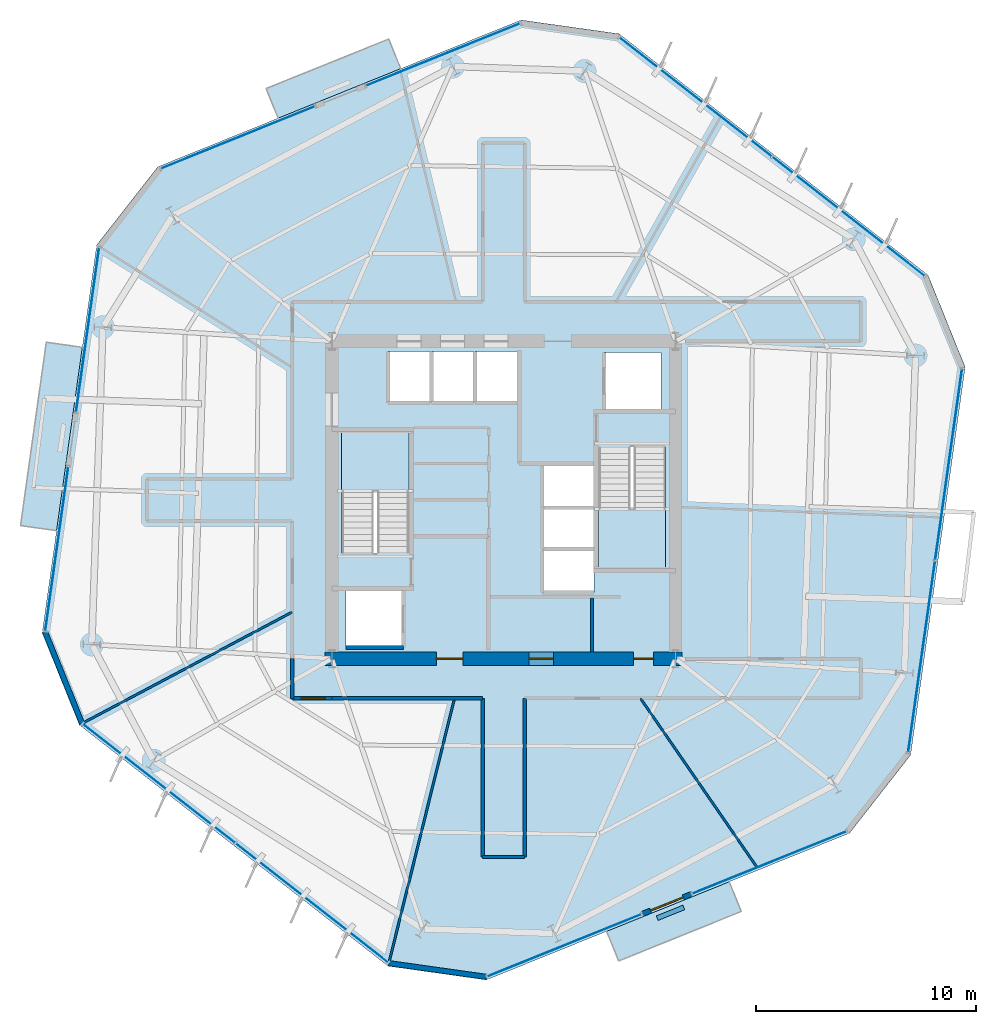
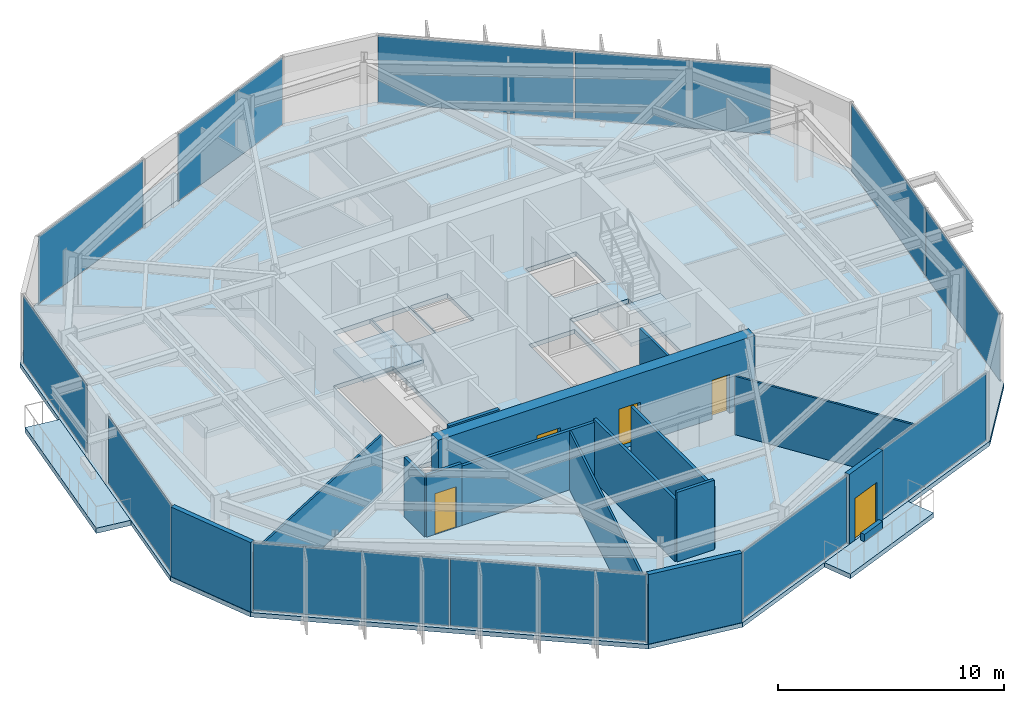
# One storey, part 6 of 12: 16 walls, 12 plates, 6 slabs, 5 doors, 5 openings, 11 elements without a shape of their own.
"""IFC4 building model written with IfcOpenShell, lengths in metres."""

from ifc_helpers import new_model, si_unit, direction, frame, frame_2d, origin, origin_2d, place, context, subcontext, project, spatial, polyline, rectangle, outline, extrude, material, layer, layer_set, type_object, element, fill, aggregate, save


model = new_model("IFC4")

# Units and contexts
model_context = context("Model", 3, precision=1e-05, world=origin(), true_north=direction((0.0, 1.0)))
body_context = subcontext(model_context, "Body", "Model", "MODEL_VIEW")
ifc_project = project(units=[si_unit("LENGTHUNIT", "METRE"), si_unit("AREAUNIT", "SQUARE_METRE"), si_unit("VOLUMEUNIT", "CUBIC_METRE"), si_unit("PLANEANGLEUNIT", "RADIAN"), si_unit("MASSUNIT", "GRAM", prefix="KILO")], contexts=[model_context])

# Site, building, storey
site_placement = place(None, origin())
site = spatial("IfcSite", under=ifc_project, at=site_placement, CompositionType="ELEMENT")
building_placement = place(site_placement, origin())
building = spatial("IfcBuilding", under=site, at=building_placement, Name="Kranzbogen Civic Tower", CompositionType="ELEMENT")
storey_placement = place(building_placement, frame((0.0, 0.0, 110.39990234375)))
storey = spatial("IfcBuildingStorey", under=building, at=storey_placement, Name="L26", CompositionType="ELEMENT", Elevation=110.39990234375)

# Slab
ifc_material_1 = material(Name="Concrete C40/50", Category="concrete")
ifc_layer_1 = layer(ifc_material_1, 0.239990234375, Name="Concrete C40/50")
ifc_layer_set_1 = layer_set([ifc_layer_1], Name="Concrete C40/50")
slab_type_1 = type_object("IfcSlabType", Name="Composite Lower Tower Floor Slab 240 mm", PredefinedType="FLOOR", material=ifc_layer_set_1)
slab_1_placement = place(storey_placement, frame((0.0, 0.0, -0.239990234375)))
element("IfcSlab", 1, at=slab_1_placement, inside=storey, type_object=slab_type_1, Name="L26 tower floor slab", PredefinedType="FLOOR", context=body_context, shape_type="SweptSolid", body=[
    extrude(outline(polyline([(44.258056640625, 35.20703125), (30.2451171875, 46.155029296875), (25.7890625, 46.781982421875), (9.302001953125, 40.1201171875), (6.531005859375, 36.573974609375), (4.055908203125, 18.965087890625), (5.741943359375, 14.79296875), (19.7548828125, 3.844970703125), (24.2109375, 3.218017578125), (40.697998046875, 9.8798828125), (43.468994140625, 13.426025390625), (45.944091796875, 31.034912109375), (44.258056640625, 35.20703125)]), holes=[polyline([(20.449951171875, 20.89990234375), (20.449951171875, 18.300048828125), (17.85009765625, 18.300048828125), (17.85009765625, 20.89990234375), (20.449951171875, 20.89990234375)]), polyline([(29.10009765625, 22.699951171875), (29.10009765625, 20.800048828125), (26.75, 20.800048828125), (26.75, 22.699951171875), (29.10009765625, 22.699951171875)]), polyline([(29.10009765625, 24.64990234375), (29.10009765625, 22.77490234375), (26.75, 22.77490234375), (26.75, 24.64990234375), (26.75, 24.675048828125), (26.75, 26.550048828125), (29.10009765625, 26.550048828125), (29.10009765625, 24.675048828125), (29.10009765625, 24.64990234375)]), polyline([(30.75, 27.340087890625), (30.75, 27.39990234375), (32.35009765625, 27.39990234375), (32.35009765625, 21.89990234375), (29.300048828125, 21.89990234375), (29.300048828125, 27.340087890625), (30.75, 27.340087890625)]), polyline([(19.25, 22.659912109375), (19.25, 22.60009765625), (17.64990234375, 22.60009765625), (17.64990234375, 28.10009765625), (20.699951171875, 28.10009765625), (20.699951171875, 22.659912109375), (19.25, 22.659912109375)]), polyline([(32.14990234375, 31.699951171875), (32.14990234375, 29.10009765625), (29.550048828125, 29.10009765625), (29.550048828125, 31.699951171875), (32.14990234375, 31.699951171875)]), polyline([(21.64990234375, 31.75), (21.64990234375, 29.39990234375), (19.75, 29.39990234375), (19.75, 31.75), (21.64990234375, 31.75)]), polyline([(23.625, 29.39990234375), (21.72509765625, 29.39990234375), (21.72509765625, 31.75), (23.625, 31.75), (23.625, 29.39990234375)]), polyline([(25.60009765625, 29.39990234375), (23.699951171875, 29.39990234375), (23.699951171875, 31.75), (25.60009765625, 31.75), (25.60009765625, 29.39990234375)])]), origin(), (0.0, 0.0, 1.0), 0.239990234375),
])

# Curtain wall, plates
ifc_material_2 = material(Name="Pale Anodised Aluminium", Category="aluminium")
ifc_layer_2 = layer(ifc_material_2, 0.219970703125, Name="Pale Anodised Aluminium")
ifc_layer_set_2 = layer_set([ifc_layer_2], Name="Pale Anodised Aluminium")
curtain_wall_type = type_object("IfcCurtainWallType", Name="Zone 2 Stick Curtain Wall System CW-03", PredefinedType="USERDEFINED", material=ifc_layer_set_2)
curtain_wall_1_placement = place(storey_placement, origin())
curtain_wall_1 = element("IfcCurtainWall", 2, at=curtain_wall_1_placement, inside=storey, type_object=curtain_wall_type, Name="L26 curtain wall CW-L26-F1", ObjectType="STICK CURTAIN WALL", PredefinedType="USERDEFINED")
ifc_material_3 = material(Name="Low-E Triple Glazing Glass", Category="glass")
ifc_layer_3 = layer(ifc_material_3, 0.031982421875, Name="Low-E Triple Glazing Glass")
ifc_layer_set_3 = layer_set([ifc_layer_3], Name="Low-E Triple Glazing Glass")
plate_type = type_object("IfcPlateType", Name="Insulated Low-E Glazing Panel 32 mm", PredefinedType="CURTAIN_PANEL", material=ifc_layer_set_3)
plate_1_placement = place(storey_placement, frame((40.641357421875, 37.86962890625, 0.06005859375), z_axis=(0.0, 0.0, 1.0), x_axis=(-0.788006354184, 0.615667106288, 0.0)))
plate_1 = element("IfcPlate", 3, at=plate_1_placement, type_object=plate_type, Name="CW-03 panel 1.1", PredefinedType="CURTAIN_PANEL", context=body_context, shape_type="SweptSolid", body=[
    extrude(rectangle(XDim=8.744384765625, YDim=0.028076171875, at=origin_2d()), origin(), (0.0, 0.0, 1.0), 3.639892578125),
])
plate_2_placement = place(storey_placement, frame((33.70361328125, 43.290283203125, 0.06005859375), z_axis=(0.0, 0.0, 1.0), x_axis=(-0.788006354184, 0.615667106288, 0.0)))
plate_2 = element("IfcPlate", 4, at=plate_2_placement, type_object=plate_type, Name="CW-03 panel 2.1", PredefinedType="CURTAIN_PANEL", context=body_context, shape_type="SweptSolid", body=[
    extrude(rectangle(XDim=8.744384765625, YDim=0.028076171875, at=origin_2d()), origin(), (0.0, 0.0, 1.0), 3.639892578125),
])
aggregate(curtain_wall_1, [plate_1, plate_2])

# Curtain wall, plate
curtain_wall_2_placement = place(storey_placement, origin())
curtain_wall_2 = element("IfcCurtainWall", 5, at=curtain_wall_2_placement, inside=storey, type_object=curtain_wall_type, Name="L26 curtain wall CW-L26-F2-S1", ObjectType="STICK CURTAIN WALL", PredefinedType="USERDEFINED")
plate_3_placement = place(storey_placement, frame((22.2451171875, 45.2119140625, 0.06005859375), z_axis=(0.0, 0.0, 1.0), x_axis=(-0.927170096622, -0.374640643723, 0.0)))
plate_3 = element("IfcPlate", 6, at=plate_3_placement, type_object=plate_type, Name="CW-03 panel 1.1", PredefinedType="CURTAIN_PANEL", context=body_context, shape_type="SweptSolid", body=[
    extrude(rectangle(XDim=7.513916015625, YDim=0.028076171875, at=origin_2d()), origin(), (0.0, 0.0, 1.0), 3.639892578125),
])
aggregate(curtain_wall_2, [plate_3])

curtain_wall_3_placement = place(storey_placement, origin())
curtain_wall_3 = element("IfcCurtainWall", 7, at=curtain_wall_3_placement, inside=storey, type_object=curtain_wall_type, Name="L26 curtain wall CW-L26-F2-S2", ObjectType="STICK CURTAIN WALL", PredefinedType="USERDEFINED")
plate_4_placement = place(storey_placement, frame((12.94189453125, 41.452880859375, 0.06005859375), z_axis=(0.0, 0.0, 1.0), x_axis=(-0.927170096622, -0.374640643723, 0.0)))
plate_4 = element("IfcPlate", 8, at=plate_4_placement, type_object=plate_type, Name="CW-03 panel 1.1", PredefinedType="CURTAIN_PANEL", context=body_context, shape_type="SweptSolid", body=[
    extrude(rectangle(XDim=7.513916015625, YDim=0.028076171875, at=origin_2d()), origin(), (0.0, 0.0, 1.0), 3.639892578125),
])
aggregate(curtain_wall_3, [plate_4])

curtain_wall_4_placement = place(storey_placement, origin())
curtain_wall_4 = element("IfcCurtainWall", 9, at=curtain_wall_4_placement, inside=storey, type_object=curtain_wall_type, Name="L26 curtain wall CW-L26-F3-S1", ObjectType="STICK CURTAIN WALL", PredefinedType="USERDEFINED")
plate_5_placement = place(storey_placement, frame((6.118896484375, 32.719970703125, 0.06005859375), z_axis=(0.0, 0.0, 1.0), x_axis=(-0.139110324934, -0.990276889308, 0.0)))
plate_5 = element("IfcPlate", 10, at=plate_5_placement, type_object=plate_type, Name="CW-03 panel 1.1", PredefinedType="CURTAIN_PANEL", context=body_context, shape_type="SweptSolid", body=[
    extrude(rectangle(XDim=7.51416015625, YDim=0.028076171875, at=origin_2d()), origin(), (0.0, 0.0, 1.0), 3.639892578125),
])
aggregate(curtain_wall_4, [plate_5])

curtain_wall_5_placement = place(storey_placement, origin())
curtain_wall_5 = element("IfcCurtainWall", 11, at=curtain_wall_5_placement, inside=storey, type_object=curtain_wall_type, Name="L26 curtain wall CW-L26-F3-S2", ObjectType="STICK CURTAIN WALL", PredefinedType="USERDEFINED")
plate_6_placement = place(storey_placement, frame((4.721923828125, 22.783935546875, 0.06005859375), z_axis=(0.0, 0.0, 1.0), x_axis=(-0.139110324934, -0.990276889308, 0.0)))
plate_6 = element("IfcPlate", 12, at=plate_6_placement, type_object=plate_type, Name="CW-03 panel 1.1", PredefinedType="CURTAIN_PANEL", context=body_context, shape_type="SweptSolid", body=[
    extrude(rectangle(XDim=7.51416015625, YDim=0.028076171875, at=origin_2d()), origin(), (0.0, 0.0, 1.0), 3.639892578125),
])
aggregate(curtain_wall_5, [plate_6])

# Curtain wall, plates
curtain_wall_6_placement = place(storey_placement, origin())
curtain_wall_6 = element("IfcCurtainWall", 13, at=curtain_wall_6_placement, inside=storey, type_object=curtain_wall_type, Name="L26 curtain wall CW-L26-F4", ObjectType="STICK CURTAIN WALL", PredefinedType="USERDEFINED")
plate_7_placement = place(storey_placement, frame((9.358642578125, 12.13037109375, 0.06005859375), z_axis=(0.0, 0.0, 1.0), x_axis=(0.788006354184, -0.615667106288, 0.0)))
plate_7 = element("IfcPlate", 14, at=plate_7_placement, type_object=plate_type, Name="CW-03 panel 1.1", PredefinedType="CURTAIN_PANEL", context=body_context, shape_type="SweptSolid", body=[
    extrude(rectangle(XDim=8.744384765625, YDim=0.028076171875, at=origin_2d()), origin(), (0.0, 0.0, 1.0), 3.639892578125),
])
plate_8_placement = place(storey_placement, frame((16.29638671875, 6.709716796875, 0.06005859375), z_axis=(0.0, 0.0, 1.0), x_axis=(0.788006354184, -0.615667106288, 0.0)))
plate_8 = element("IfcPlate", 15, at=plate_8_placement, type_object=plate_type, Name="CW-03 panel 2.1", PredefinedType="CURTAIN_PANEL", context=body_context, shape_type="SweptSolid", body=[
    extrude(rectangle(XDim=8.744384765625, YDim=0.028076171875, at=origin_2d()), origin(), (0.0, 0.0, 1.0), 3.639892578125),
])
aggregate(curtain_wall_6, [plate_7, plate_8])

# Curtain wall, plate
curtain_wall_7_placement = place(storey_placement, origin())
curtain_wall_7 = element("IfcCurtainWall", 16, at=curtain_wall_7_placement, inside=storey, type_object=curtain_wall_type, Name="L26 curtain wall CW-L26-F5-S1", ObjectType="STICK CURTAIN WALL", PredefinedType="USERDEFINED")
plate_9_placement = place(storey_placement, frame((27.7548828125, 4.7880859375, 0.06005859375), z_axis=(0.0, 0.0, 1.0), x_axis=(0.927170096622, 0.374640643723, 0.0)))
plate_9 = element("IfcPlate", 17, at=plate_9_placement, type_object=plate_type, Name="CW-03 panel 1.1", PredefinedType="CURTAIN_PANEL", context=body_context, shape_type="SweptSolid", body=[
    extrude(rectangle(XDim=7.513916015625, YDim=0.028076171875, at=origin_2d()), origin(), (0.0, 0.0, 1.0), 3.639892578125),
])
aggregate(curtain_wall_7, [plate_9])

curtain_wall_8_placement = place(storey_placement, origin())
curtain_wall_8 = element("IfcCurtainWall", 18, at=curtain_wall_8_placement, inside=storey, type_object=curtain_wall_type, Name="L26 curtain wall CW-L26-F5-S2", ObjectType="STICK CURTAIN WALL", PredefinedType="USERDEFINED")
plate_10_placement = place(storey_placement, frame((37.05810546875, 8.547119140625, 0.06005859375), z_axis=(0.0, 0.0, 1.0), x_axis=(0.927170096622, 0.374640643723, 0.0)))
plate_10 = element("IfcPlate", 19, at=plate_10_placement, type_object=plate_type, Name="CW-03 panel 1.1", PredefinedType="CURTAIN_PANEL", context=body_context, shape_type="SweptSolid", body=[
    extrude(rectangle(XDim=7.513916015625, YDim=0.028076171875, at=origin_2d()), origin(), (0.0, 0.0, 1.0), 3.639892578125),
])
aggregate(curtain_wall_8, [plate_10])

# Curtain wall, plates
curtain_wall_9_placement = place(storey_placement, origin())
curtain_wall_9 = element("IfcCurtainWall", 20, at=curtain_wall_9_placement, inside=storey, type_object=curtain_wall_type, Name="L26 curtain wall CW-L26-F6", ObjectType="STICK CURTAIN WALL", PredefinedType="USERDEFINED")
plate_11_placement = place(storey_placement, frame((43.966796875, 17.888916015625, 0.06005859375), z_axis=(0.0, 0.0, 1.0), x_axis=(0.139178515652, 0.990267307741, 0.0)))
plate_11 = element("IfcPlate", 21, at=plate_11_placement, type_object=plate_type, Name="CW-03 panel 1.1", PredefinedType="CURTAIN_PANEL", context=body_context, shape_type="SweptSolid", body=[
    extrude(rectangle(XDim=8.743896484375, YDim=0.028076171875, at=origin_2d()), origin(), (0.0, 0.0, 1.0), 3.639892578125),
])
plate_12_placement = place(storey_placement, frame((45.192138671875, 26.607177734375, 0.06005859375), z_axis=(0.0, 0.0, 1.0), x_axis=(0.139178515652, 0.990267307741, 0.0)))
plate_12 = element("IfcPlate", 22, at=plate_12_placement, type_object=plate_type, Name="CW-03 panel 2.1", PredefinedType="CURTAIN_PANEL", context=body_context, shape_type="SweptSolid", body=[
    extrude(rectangle(XDim=8.743896484375, YDim=0.028076171875, at=origin_2d()), origin(), (0.0, 0.0, 1.0), 3.639892578125),
])
aggregate(curtain_wall_9, [plate_11, plate_12])

# Stair, slab
ifc_material_4 = material(Name="Precast concrete C40/50", Category="concrete")
stair_type_1 = type_object("IfcStairType", Name="Tower Core Pressurized Dogleg Stair 1450", PredefinedType="HALF_TURN_STAIR", material=ifc_material_4)
stair_1_placement = place(storey_placement, origin())
stair_1 = element("IfcStair", 23, at=stair_1_placement, inside=storey, type_object=stair_type_1, Name="L26 Tower Core Pressurized Stair 1", PredefinedType="HALF_TURN_STAIR")
ifc_layer_4 = layer(ifc_material_4, 0.199951171875, Name="Precast concrete C40/50")
ifc_layer_set_4 = layer_set([ifc_layer_4], Name="Precast concrete C40/50")
slab_type_2 = type_object("IfcSlabType", Name="Precast Concrete Stair Landing Slab 200 mm", PredefinedType="LANDING", material=ifc_layer_set_4)
slab_2_placement = place(storey_placement, frame((0.0, 0.0, 1.800048828125)))
slab_2 = element("IfcSlab", 24, at=slab_2_placement, type_object=slab_type_2, Name="ST-T1 landing 1", PredefinedType="LANDING", context=body_context, shape_type="SweptSolid", body=[
    extrude(outline(polyline([(20.699951171875, 25.39990234375), (20.699951171875, 28.10009765625), (17.64990234375, 28.10009765625), (17.64990234375, 25.39990234375), (20.699951171875, 25.39990234375)])), origin(), (0.0, 0.0, 1.0), 0.199951171875),
])
aggregate(stair_1, [slab_2])

stair_type_2 = type_object("IfcStairType", Name="Tower Core Secondary Dogleg Stair 1450", PredefinedType="HALF_TURN_STAIR", material=ifc_material_4)
stair_2_placement = place(storey_placement, origin())
stair_2 = element("IfcStair", 25, at=stair_2_placement, inside=storey, type_object=stair_type_2, Name="L26 Tower Core Pressurized Stair 2", PredefinedType="HALF_TURN_STAIR")
slab_3_placement = place(storey_placement, frame((0.0, 0.0, 1.800048828125)))
slab_3 = element("IfcSlab", 26, at=slab_3_placement, type_object=slab_type_2, Name="ST-T2 landing 1", PredefinedType="LANDING", context=body_context, shape_type="SweptSolid", body=[
    extrude(outline(polyline([(29.300048828125, 24.60009765625), (29.300048828125, 21.89990234375), (32.35009765625, 21.89990234375), (32.35009765625, 24.60009765625), (29.300048828125, 24.60009765625)])), origin(), (0.0, 0.0, 1.0), 0.199951171875),
])
aggregate(stair_2, [slab_3])

# Slabs
ifc_layer_5 = layer(ifc_material_1, 0.280029296875, Name="Concrete C40/50")
ifc_layer_set_5 = layer_set([ifc_layer_5], Name="Concrete C40/50")
slab_type_3 = type_object("IfcSlabType", Name="Spiral Terrace Cantilevered Slab 280 mm", PredefinedType="FLOOR", material=ifc_layer_set_5)
slab_4_placement = place(storey_placement, frame((0.0, 0.0, -0.27978515625)))
element("IfcSlab", 27, at=slab_4_placement, inside=storey, type_object=slab_type_3, Name="L26 cantilevered spiral terrace L26-ST", PredefinedType="FLOOR", context=body_context, shape_type="SweptSolid", body=[
    extrude(outline(polyline([(5.8779296875, 31.928955078125), (4.708984375, 23.610107421875), (3.074951171875, 23.840087890625), (4.243896484375, 32.158935546875), (5.8779296875, 31.928955078125)])), origin(), (0.0, 0.0, 1.0), 0.27978515625),
])
ifc_layer_6 = layer(ifc_material_1, 0.25, Name="Concrete C40/50")
ifc_layer_set_6 = layer_set([ifc_layer_6], Name="Concrete C40/50")
slab_type_4 = type_object("IfcSlabType", Name="Tree Balcony Cantilevered Slab 250 mm", PredefinedType="FLOOR", material=ifc_layer_set_6)
slab_5_placement = place(storey_placement, frame((0.0, 0.0, -0.25)))
element("IfcSlab", 28, at=slab_5_placement, inside=storey, type_object=slab_type_4, Name="L26 cantilevered tree balcony L26-TB1", PredefinedType="FLOOR", context=body_context, shape_type="SweptSolid", body=[
    extrude(outline(polyline([(20.326904296875, 44.574951171875), (14.763916015625, 42.326904296875), (14.220947265625, 43.6708984375), (19.783935546875, 45.9189453125), (20.326904296875, 44.574951171875)])), origin(), (0.0, 0.0, 1.0), 0.25),
])
slab_6_placement = place(storey_placement, frame((0.0, 0.0, -0.25)))
element("IfcSlab", 29, at=slab_6_placement, inside=storey, type_object=slab_type_4, Name="L26 cantilevered tree balcony L26-TB2", PredefinedType="FLOOR", context=body_context, shape_type="SweptSolid", body=[
    extrude(outline(polyline([(29.673095703125, 5.425048828125), (35.236083984375, 7.673095703125), (35.779052734375, 6.3291015625), (30.216064453125, 4.0810546875), (29.673095703125, 5.425048828125)])), origin(), (0.0, 0.0, 1.0), 0.25),
])

# Wall, opening, door
ifc_material_5 = material(Name="Double-Stud Acoustic Gypsum Partition")
ifc_layer_7 = layer(ifc_material_5, 0.14990234375, Name="Double-Stud Acoustic Gypsum Partition")
ifc_layer_set_7 = layer_set([ifc_layer_7], Name="Double-Stud Acoustic Gypsum Partition")
wall_type_1 = type_object("IfcWallType", Name="Acoustic Corridor and Clinical Partition 150 mm", PredefinedType="PARTITIONING", material=ifc_layer_set_7)
wall_1_placement = place(storey_placement, frame((17.199951171875, 16.0, 0.0), z_axis=(0.0, 0.0, 1.0), x_axis=(-1.0, 0.0, 0.0)))
wall_1 = element("IfcWall", 30, at=wall_1_placement, inside=storey, type_object=wall_type_1, Name="L26 corridor partition 01", PredefinedType="PARTITIONING", context=body_context, shape_type="SweptSolid", body=[
    extrude(rectangle(XDim=1.800048828125, YDim=0.14990234375, at=frame_2d((0.89990234375, 0.0))), origin(), (0.0, 0.0, 1.0), 3.360107421875),
])
opening_1_placement = place(wall_1_placement, frame((0.287109375, 0.0, 0.0)))
opening_1 = element("IfcOpeningElement", 31, at=opening_1_placement, cuts=wall_1, Name="Opening D-COR60", PredefinedType="OPENING", context=body_context, shape_type="SweptSolid", body=[
    extrude(rectangle(XDim=1.10009765625, YDim=2.199951171875, at=frame_2d((0.550048828125, 1.10009765625))), frame((0.0, 0.0849609375, 0.0), z_axis=(0.0, -1.0, 0.0), x_axis=(1.0, 0.0, 0.0)), (0.0, 0.0, 1.0), 0.169921875),
])
ifc_material_6 = material(Name="Oak Timber and Fire Core", Category="wood")
door_type_1 = type_object("IfcDoorType", Name="Corridor Acoustic Fire Door 1100x2200", OperationType="NOTDEFINED", PredefinedType="DOOR", material=ifc_material_6)
door_1_placement = place(opening_1_placement, origin())
door_1 = element("IfcDoor", 32, at=door_1_placement, inside=storey, type_object=door_type_1, Name="L26 Executive Briefing Conference Room door", OperationType="SINGLE_SWING_RIGHT", OverallHeight=2.199951171875, OverallWidth=1.10009765625, PredefinedType="DOOR", context=body_context, shape_type="SweptSolid", body=[
    extrude(rectangle(XDim=1.10009765625, YDim=2.199951171875, at=frame_2d((0.550048828125, 1.10009765625))), frame((0.0, 0.02490234375, 0.0), z_axis=(0.0, -1.0, 0.0), x_axis=(1.0, 0.0, 0.0)), (0.0, 0.0, 1.0), 0.050048828125),
])
fill(opening_1, door_1)

# Walls
wall_2_placement = place(storey_placement, frame((15.39990234375, 16.0, 0.0), z_axis=(0.0, 0.0, 1.0), x_axis=(0.0, 1.0, 0.0)))
element("IfcWall", 33, at=wall_2_placement, inside=storey, type_object=wall_type_1, Name="L26 corridor partition 02", PredefinedType="PARTITIONING", context=body_context, shape_type="SweptSolid", body=[
    extrude(rectangle(XDim=1.800048828125, YDim=0.14990234375, at=frame_2d((0.89990234375, 0.0))), origin(), (0.0, 0.0, 1.0), 3.210205078125),
])
wall_3_placement = place(storey_placement, frame((25.949951171875, 16.0, 0.0), z_axis=(0.0, 0.0, 1.0), x_axis=(0.0, -1.0, 0.0)))
element("IfcWall", 34, at=wall_3_placement, inside=storey, type_object=wall_type_1, Name="L26 corridor partition 20", PredefinedType="PARTITIONING", context=body_context, shape_type="SweptSolid", body=[
    extrude(rectangle(XDim=7.199951171875, YDim=0.14990234375, at=frame_2d((3.60009765625, 0.0))), origin(), (0.0, 0.0, 1.0), 3.360107421875),
])
wall_4_placement = place(storey_placement, frame((25.949951171875, 8.800048828125, 0.0), z_axis=(0.0, 0.0, 1.0), x_axis=(-1.0, 0.0, 0.0)))
element("IfcWall", 35, at=wall_4_placement, inside=storey, type_object=wall_type_1, Name="L26 corridor partition 21", PredefinedType="PARTITIONING", context=body_context, shape_type="SweptSolid", body=[
    extrude(rectangle(XDim=1.89990234375, YDim=0.14990234375, at=frame_2d((0.949951171875, 0.0))), origin(), (0.0, 0.0, 1.0), 3.760009765625),
])
wall_5_placement = place(storey_placement, frame((24.050048828125, 8.800048828125, 0.0), z_axis=(0.0, 0.0, 1.0), x_axis=(0.0, 1.0, 0.0)))
element("IfcWall", 36, at=wall_5_placement, inside=storey, type_object=wall_type_1, Name="L26 corridor partition 22", PredefinedType="PARTITIONING", context=body_context, shape_type="SweptSolid", body=[
    extrude(rectangle(XDim=7.199951171875, YDim=0.14990234375, at=frame_2d((3.60009765625, 0.0))), origin(), (0.0, 0.0, 1.0), 3.360107421875),
])
wall_6_placement = place(storey_placement, frame((24.050048828125, 16.0, 0.0), z_axis=(0.0, 0.0, 1.0), x_axis=(-1.0, 0.0, 0.0)))
element("IfcWall", 37, at=wall_6_placement, inside=storey, type_object=wall_type_1, Name="L26 corridor partition 23", PredefinedType="PARTITIONING", context=body_context, shape_type="SweptSolid", body=[
    extrude(rectangle(XDim=6.85009765625, YDim=0.14990234375, at=frame_2d((3.425048828125, 0.0))), origin(), (0.0, 0.0, 1.0), 3.210205078125),
])
ifc_material_7 = material(Name="Insulated Metal-Stud Gypsum Partition")
ifc_layer_8 = layer(ifc_material_7, 0.125, Name="Insulated Metal-Stud Gypsum Partition")
ifc_layer_set_8 = layer_set([ifc_layer_8], Name="Insulated Metal-Stud Gypsum Partition")
wall_type_2 = type_object("IfcWallType", Name="Acoustic Inter-Room Partition 125 mm", PredefinedType="PARTITIONING", material=ifc_layer_set_8)
wall_7_placement = place(storey_placement, frame((29.010009765625, 18.10009765625, 0.0), z_axis=(0.0, 0.0, 1.0), x_axis=(0.0, 1.0, 0.0)))
element("IfcWall", 38, at=wall_7_placement, inside=storey, type_object=wall_type_2, Name="L26 core auxiliary partition 1", PredefinedType="PARTITIONING", context=body_context, shape_type="SweptSolid", body=[
    extrude(rectangle(XDim=2.449951171875, YDim=0.125, at=frame_2d((1.22509765625, 0.0))), origin(), (0.0, 0.0, 1.0), 3.760009765625),
])
ifc_material_8 = material(Name="Architectural Precast Terracotta Concrete C40/50", Category="masonry")
ifc_layer_9 = layer(ifc_material_8, 0.219970703125, Name="Architectural Precast Terracotta Concrete C40/50")
ifc_layer_set_9 = layer_set([ifc_layer_9], Name="Architectural Precast Terracotta Concrete C40/50")
wall_type_3 = type_object("IfcWallType", Name="Architectural Tree Planter Kerb Wall 220 mm", PredefinedType="USERDEFINED", material=ifc_layer_set_9)
wall_8_placement = place(storey_placement, frame((31.966064453125, 6.02294921875, 0.0), z_axis=(0.0, 0.0, 1.0), x_axis=(0.926980993663, 0.375108300877, 0.0)))
element("IfcWall", 39, at=wall_8_placement, inside=storey, type_object=wall_type_3, Name="L26 landscaped tree balcony planter L26-TB2", ObjectType="PLANTER_WALL", PredefinedType="USERDEFINED", context=body_context, shape_type="SweptSolid", body=[
    extrude(rectangle(XDim=1.301025390625, YDim=0.219970703125, at=frame_2d((0.650390625, 0.0))), origin(), (0.0, 0.0, 1.0), 0.400146484375),
])

# Wall, openings, doors
ifc_material_9 = material(Name="Concrete C55/67", Category="concrete")
ifc_layer_10 = layer(ifc_material_9, 0.60009765625, Name="Concrete C55/67")
ifc_layer_set_10 = layer_set([ifc_layer_10], Name="Concrete C55/67")
wall_type_4 = type_object("IfcWallType", Name="Central Core Shear Wall 600 mm", PredefinedType="SHEAR", material=ifc_layer_set_10)
wall_9_placement = place(storey_placement, frame((16.89990234375, 17.800048828125, 0.0), z_axis=(0.0, 0.0, 1.0), x_axis=(1.0, 0.0, 0.0)))
wall_9 = element("IfcWall", 40, at=wall_9_placement, inside=storey, type_object=wall_type_4, Name="L26 central core South shear wall", PredefinedType="SHEAR", context=body_context, shape_type="SweptSolid", body=[
    extrude(rectangle(XDim=16.2001953125, YDim=0.60009765625, at=frame_2d((8.10009765625, 0.0))), origin(), (0.0, 0.0, 1.0), 3.760009765625),
])
opening_2_placement = place(wall_9_placement, frame((5.050048828125, 0.0, 0.0)))
opening_2 = element("IfcOpeningElement", 41, at=opening_2_placement, cuts=wall_9, Name="Opening D-EX120", PredefinedType="OPENING", context=body_context, shape_type="SweptSolid", body=[
    extrude(rectangle(XDim=1.199951171875, YDim=2.25, at=frame_2d((0.60009765625, 1.125))), frame((0.0, 0.31005859375, 0.0), z_axis=(0.0, -1.0, 0.0), x_axis=(1.0, 0.0, 0.0)), (0.0, 0.0, 1.0), 0.6201171875),
])
opening_3_placement = place(wall_9_placement, frame((14.0, 0.0, 0.0)))
opening_3 = element("IfcOpeningElement", 42, at=opening_3_placement, cuts=wall_9, Name="Opening D-WC90", PredefinedType="OPENING", context=body_context, shape_type="SweptSolid", body=[
    extrude(rectangle(XDim=0.89990234375, YDim=2.10009765625, at=frame_2d((0.449951171875, 1.050048828125))), frame((0.0, 0.31005859375, 0.0), z_axis=(0.0, -1.0, 0.0), x_axis=(1.0, 0.0, 0.0)), (0.0, 0.0, 1.0), 0.6201171875),
])
opening_4_placement = place(wall_9_placement, frame((9.25, 0.0, 0.0)))
opening_4 = element("IfcOpeningElement", 43, at=opening_4_placement, cuts=wall_9, Name="Opening D-COR60", PredefinedType="OPENING", context=body_context, shape_type="SweptSolid", body=[
    extrude(rectangle(XDim=1.10009765625, YDim=2.199951171875, at=frame_2d((0.550048828125, 1.10009765625))), frame((0.0, 0.31005859375, 0.0), z_axis=(0.0, -1.0, 0.0), x_axis=(1.0, 0.0, 0.0)), (0.0, 0.0, 1.0), 0.6201171875),
])
door_2_placement = place(opening_4_placement, origin())
door_2 = element("IfcDoor", 44, at=door_2_placement, inside=storey, type_object=door_type_1, Name="L26 REC1 archive room door", OperationType="SINGLE_SWING_LEFT", OverallHeight=2.199951171875, OverallWidth=1.10009765625, PredefinedType="DOOR", context=body_context, shape_type="SweptSolid", body=[
    extrude(rectangle(XDim=1.10009765625, YDim=2.199951171875, at=frame_2d((0.550048828125, 1.10009765625))), frame((0.0, 0.02490234375, 0.0), z_axis=(0.0, -1.0, 0.0), x_axis=(1.0, 0.0, 0.0)), (0.0, 0.0, 1.0), 0.050048828125),
])
fill(opening_4, door_2)
ifc_material_10 = material(Name="Steel S355", Category="steel")
door_type_2 = type_object("IfcDoorType", Name="Exit Passageway Fire Door 1200x2250", OperationType="NOTDEFINED", PredefinedType="DOOR", material=ifc_material_10)
door_3_placement = place(opening_2_placement, origin())
door_3 = element("IfcDoor", 45, at=door_3_placement, inside=storey, type_object=door_type_2, Name="L26 West firefighting lobby corridor door", OperationType="SINGLE_SWING_LEFT", OverallHeight=2.25, OverallWidth=1.199951171875, PredefinedType="DOOR", context=body_context, shape_type="SweptSolid", body=[
    extrude(rectangle(XDim=1.199951171875, YDim=2.25, at=frame_2d((0.60009765625, 1.125))), frame((0.0, 0.02490234375, 0.0), z_axis=(0.0, -1.0, 0.0), x_axis=(1.0, 0.0, 0.0)), (0.0, 0.0, 1.0), 0.050048828125),
])
fill(opening_2, door_3)
ifc_material_11 = material(Name="Moisture-Resistant Laminate")
door_type_3 = type_object("IfcDoorType", Name="Standard Restroom and Store Door 900x2100", OperationType="NOTDEFINED", PredefinedType="DOOR", material=ifc_material_11)
door_4_placement = place(opening_3_placement, origin())
door_4 = element("IfcDoor", 46, at=door_4_placement, inside=storey, type_object=door_type_3, Name="L26 East electrical riser access door", OperationType="SINGLE_SWING_RIGHT", OverallHeight=2.10009765625, OverallWidth=0.89990234375, PredefinedType="DOOR", context=body_context, shape_type="SweptSolid", body=[
    extrude(rectangle(XDim=0.89990234375, YDim=2.10009765625, at=frame_2d((0.449951171875, 1.050048828125))), frame((0.0, 0.02490234375, 0.0), z_axis=(0.0, -1.0, 0.0), x_axis=(1.0, 0.0, 0.0)), (0.0, 0.0, 1.0), 0.050048828125),
])
fill(opening_3, door_4)

# Walls
ifc_material_12 = material(Name="Demountable Aluminium and Gypsum Partition", Category="aluminium")
ifc_layer_11 = layer(ifc_material_12, 0.10009765625, Name="Demountable Aluminium and Gypsum Partition")
ifc_layer_set_11 = layer_set([ifc_layer_11], Name="Demountable Aluminium and Gypsum Partition")
wall_type_5 = type_object("IfcWallType", Name="Demountable Office Partition 100 mm", PredefinedType="MOVABLE", material=ifc_layer_set_11)
wall_10_placement = place(storey_placement, frame((15.39990234375, 19.912109375, 0.0), z_axis=(0.0, 0.0, 1.0), x_axis=(-0.883545234496, -0.468345832265, 0.0)))
element("IfcWall", 47, at=wall_10_placement, inside=storey, type_object=wall_type_5, Name="L26 radial room partition 04", PredefinedType="MOVABLE", context=body_context, shape_type="SweptSolid", body=[
    extrude(rectangle(XDim=10.772216796875, YDim=0.10009765625, at=frame_2d((5.38623046875, 0.0))), origin(), (0.0, 0.0, 1.0), 3.16015625),
])
wall_11_placement = place(storey_placement, frame((22.76904296875, 16.0, 0.0), z_axis=(0.0, 0.0, 1.0), x_axis=(-0.240695390142, -0.970600705318, 0.0)))
element("IfcWall", 48, at=wall_11_placement, inside=storey, type_object=wall_type_5, Name="L26 radial room partition 05", PredefinedType="MOVABLE", context=body_context, shape_type="SweptSolid", body=[
    extrude(rectangle(XDim=12.364501953125, YDim=0.10009765625, at=frame_2d((6.18212890625, 0.0))), origin(), (0.0, 0.0, 1.0), 3.16015625),
])
wall_12_placement = place(storey_placement, frame((31.20703125, 16.0, 0.0), z_axis=(0.0, 0.0, 1.0), x_axis=(0.567734794436, -0.82321151789, 0.0)))
element("IfcWall", 49, at=wall_12_placement, inside=storey, type_object=wall_type_5, Name="L26 radial room partition 06", PredefinedType="MOVABLE", context=body_context, shape_type="SweptSolid", body=[
    extrude(rectangle(XDim=9.308837890625, YDim=0.10009765625, at=frame_2d((4.654296875, 0.0))), origin(), (0.0, 0.0, 1.0), 3.16015625),
])
ifc_material_13 = material(Name="Gypsum Fireboard Shaftliner")
ifc_layer_12 = layer(ifc_material_13, 0.175048828125, Name="Gypsum Fireboard Shaftliner")
ifc_layer_set_12 = layer_set([ifc_layer_12], Name="Gypsum Fireboard Shaftliner")
wall_type_6 = type_object("IfcWallType", Name="Fire-Rated Lift and Service Shaft Wall 175 mm", PredefinedType="PARTITIONING", material=ifc_layer_set_12)
wall_13_placement = place(storey_placement, frame((17.85009765625, 18.300048828125, 0.0), z_axis=(0.0, 0.0, 1.0), x_axis=(1.0, 0.0, 0.0)))
element("IfcWall", 50, at=wall_13_placement, inside=storey, type_object=wall_type_6, Name="L26 lift FF-01 side wall", PredefinedType="PARTITIONING", context=body_context, shape_type="SweptSolid", body=[
    extrude(rectangle(XDim=2.599853515625, YDim=0.175048828125, at=frame_2d((1.2998046875, 0.0))), origin(), (0.0, 0.0, 1.0), 3.760009765625),
])
ifc_layer_13 = layer(ifc_material_2, 0.239990234375, Name="Pale Anodised Aluminium")
ifc_layer_set_13 = layer_set([ifc_layer_13], Name="Pale Anodised Aluminium")
wall_type_7 = type_object("IfcWallType", Name="Insulated Aluminium Facade Portal Wall 240 mm", PredefinedType="STANDARD", material=ifc_layer_set_13)
for number, where, z_axis, x_axis, name in (
    (51, (4.19091796875, 19.00390625, 0.0), (0.0, 0.0, 1.0), (0.374674323127, -0.927156487109, 0.0), "L26 chamfered corner facade spandrel 3"),
    (52, (19.7890625, 3.98095703125, 0.0), (0.0, 0.0, 1.0), (0.990241158584, -0.139364442547, 0.0), "L26 chamfered corner facade spandrel 4"),
):
    element("IfcWall", number, at=place(storey_placement, frame(where, z_axis=z_axis, x_axis=x_axis)), inside=storey, type_object=wall_type_7, Name=name, PredefinedType="STANDARD", context=body_context, shape_type="SweptSolid", body=[
        extrude(rectangle(XDim=4.470703125, YDim=0.239990234375, at=frame_2d((2.2353515625, 0.0))), origin(), (0.0, 0.0, 1.0), 3.760009765625),
    ])

# Wall, opening, door
wall_14_placement = place(storey_placement, frame((31.2939453125, 6.218017578125, 0.0), z_axis=(0.0, 0.0, 1.0), x_axis=(0.927194278769, 0.374580791576, 0.0)))
wall_14 = element("IfcWall", 53, at=wall_14_placement, inside=storey, type_object=wall_type_7, Name="L26 exterior entrance portal wall 1", PredefinedType="STANDARD", context=body_context, shape_type="SweptSolid", body=[
    extrude(rectangle(XDim=2.39990234375, YDim=0.239990234375, at=frame_2d((1.199951171875, 0.0))), origin(), (0.0, 0.0, 1.0), 3.760009765625),
])
opening_5_placement = place(wall_14_placement, frame((0.39990234375, 0.0, 0.0)))
opening_5 = element("IfcOpeningElement", 54, at=opening_5_placement, cuts=wall_14, Name="Opening D-TER", PredefinedType="OPENING", context=body_context, shape_type="SweptSolid", body=[
    extrude(rectangle(XDim=1.60009765625, YDim=2.25, at=frame_2d((0.800048828125, 1.125))), frame((0.0, 0.1298828125, 0.0), z_axis=(0.0, -1.0, 0.0), x_axis=(1.0, 0.0, 0.0)), (0.0, 0.0, 1.0), 0.260009765625),
])
ifc_material_14 = material(Name="Anodised Bronze and Triple Glass", Category="glass")
door_type_4 = type_object("IfcDoorType", Name="Glazed Terrace and Balcony Double Door 1600x2250", OperationType="DOUBLE_DOOR_SINGLE_SWING", PredefinedType="DOOR", material=ifc_material_14)
door_5_placement = place(opening_5_placement, frame((1.60009765625, 0.0, 0.0), z_axis=(0.0, 0.0, 1.0), x_axis=(-1.0, 0.0, 0.0)))
door_5 = element("IfcDoor", 55, at=door_5_placement, inside=storey, type_object=door_type_4, Name="L26 tree balcony access door L26-TB2", OperationType="DOUBLE_DOOR_SINGLE_SWING", OverallHeight=2.25, OverallWidth=1.60009765625, PredefinedType="DOOR", context=body_context, shape_type="SweptSolid", body=[
    extrude(rectangle(XDim=1.60009765625, YDim=2.25, at=frame_2d((0.800048828125, 1.125))), frame((0.0, 0.02490234375, 0.0), z_axis=(0.0, -1.0, 0.0), x_axis=(1.0, 0.0, 0.0)), (0.0, 0.0, 1.0), 0.050048828125),
])
fill(opening_5, door_5)

save(model, "model.ifc")
